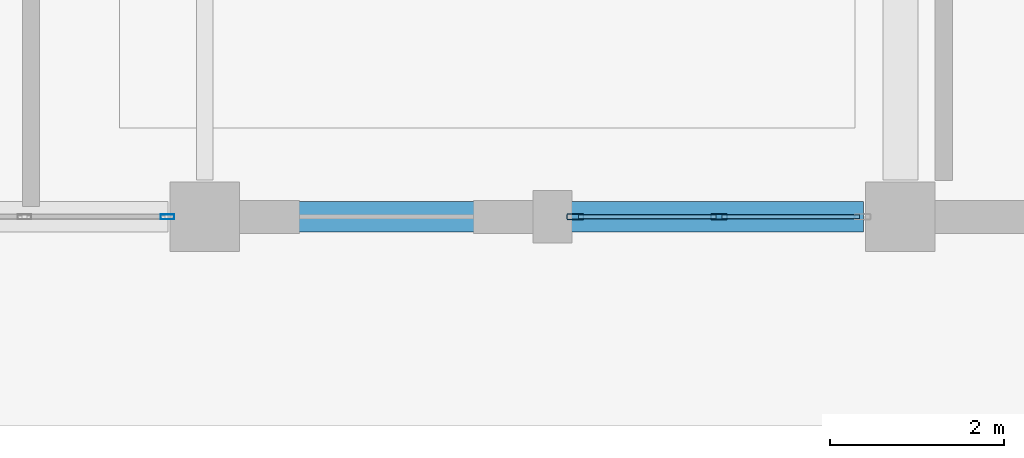
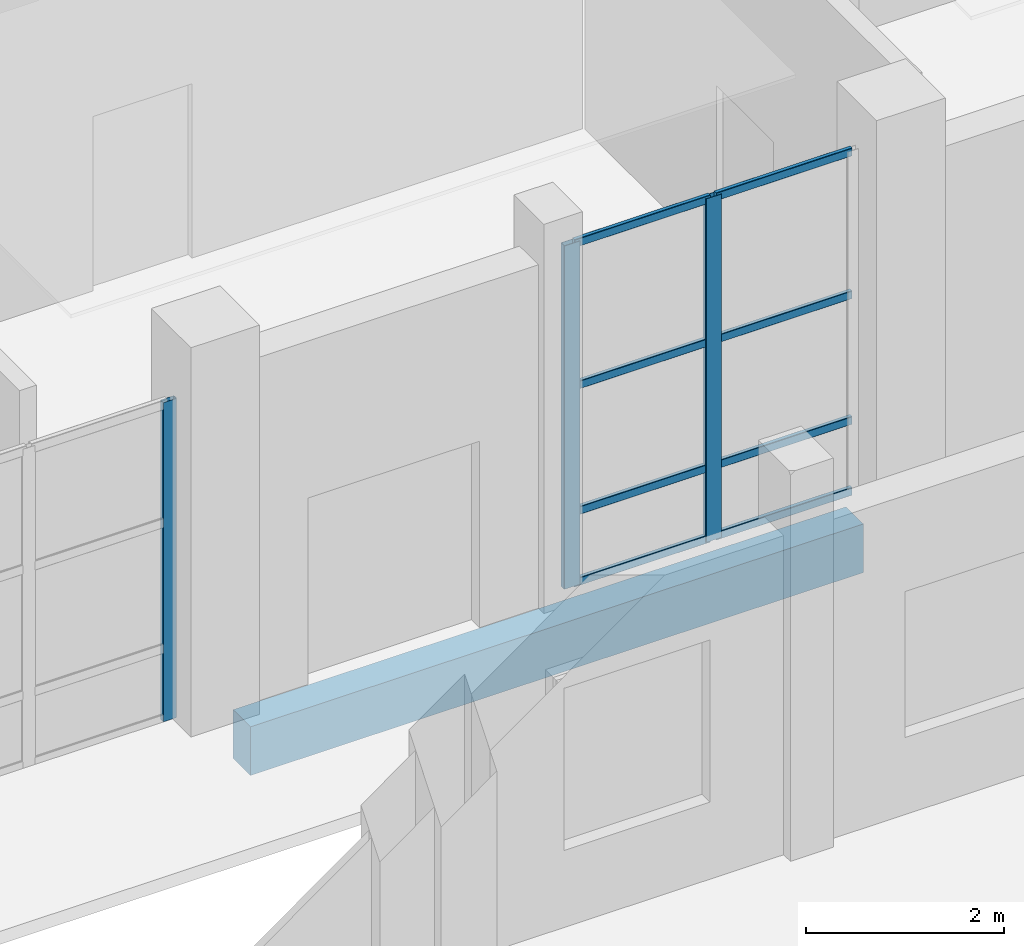
# One storey, part 92 of 156: 11 members, 1 beam, 2 elements without a shape of their own.
"""IFC4 building model written with IfcOpenShell, lengths in metres."""

from ifc_helpers import new_model, si_unit, direction, frame, origin, origin_2d, place, context, subcontext, project, spatial, rectangle, hollow_rectangle, extrude, material, material_profile, profile_set, type_object, element, aggregate, save


model = new_model("IFC4")

# Units and contexts
model_context = context("Model", 3, precision=1e-05, world=origin(), true_north=direction((0.0, 1.0)))
body_context = subcontext(model_context, "Body", "Model", "MODEL_VIEW")
ifc_project = project(units=[si_unit("LENGTHUNIT", "METRE"), si_unit("AREAUNIT", "SQUARE_METRE"), si_unit("VOLUMEUNIT", "CUBIC_METRE"), si_unit("PLANEANGLEUNIT", "RADIAN"), si_unit("MASSUNIT", "GRAM", prefix="KILO")], contexts=[model_context])

# Site, building, storey
site_placement = place(None, origin())
site = spatial("IfcSite", under=ifc_project, at=site_placement, CompositionType="ELEMENT")
building_placement = place(site_placement, origin())
building = spatial("IfcBuilding", under=site, at=building_placement, Name="Luwemba Playhouse", CompositionType="ELEMENT")
storey_placement = place(building_placement, origin())
storey = spatial("IfcBuildingStorey", under=building, at=storey_placement, Name="L00", CompositionType="ELEMENT", Elevation=0.0)

# Beam
ifc_material_1 = material(Name="Concrete C40/50", Category="concrete")
ifc_material_profile_1 = material_profile(ifc_material_1, rectangle(XDim=0.35009765625, YDim=0.60009765625, at=origin_2d()))
ifc_profile_set_1 = profile_set([ifc_material_profile_1], Name="Concrete C40/50")
beam_type = type_object("IfcBeamType", Name="BM-SP3", PredefinedType="SPANDREL", material=ifc_profile_set_1)
beam_placement = place(storey_placement, frame((148.425048828125, 95.0, -0.60009765625), z_axis=(1.0, 0.0, 0.0), x_axis=(0.0, 1.0, 0.0)))
element("IfcBeam", 1, at=beam_placement, inside=storey, type_object=beam_type, Name="L00 grid girder 0302", PredefinedType="SPANDREL", context=body_context, shape_type="SweptSolid", body=[
    extrude(rectangle(XDim=0.35009765625, YDim=0.60009765625, at=origin_2d()), origin(), (0.0, 0.0, 1.0), 7.14990234375),
])

# Curtain wall, member
ifc_material_2 = material(Name="Solar-control double glazing", Category="glass")
curtain_wall_type_1 = type_object("IfcCurtainWallType", Name="CW-CW68", PredefinedType="USERDEFINED", material=ifc_material_2)
curtain_wall_1_placement = place(storey_placement, origin())
curtain_wall_1 = element("IfcCurtainWall", 2, at=curtain_wall_1_placement, inside=storey, type_object=curtain_wall_type_1, Name="L00 V6E unitised curtain wall 091", ObjectType="UNITISED GLAZING", PredefinedType="USERDEFINED")
ifc_material_3 = material(Name="Aluminium 6063-T6", Category="aluminium")
ifc_material_profile_2 = material_profile(ifc_material_3, hollow_rectangle(XDim=0.06005859375, YDim=0.159912109375, WallThickness=0.00390625, InnerFilletRadius=0.006103515625, OuterFilletRadius=0.010009765625, at=origin_2d()))
ifc_profile_set_2 = profile_set([ifc_material_profile_2], Name="Aluminium 6063-T6")
member_type_1 = type_object("IfcMemberType", Name="CWM-M1", PredefinedType="MULLION", material=ifc_profile_set_2)
member_1_placement = place(storey_placement, frame((147.570068359375, 95.0, 0.0), z_axis=(0.0, 0.0, 1.0), x_axis=(0.0, -1.0, 0.0)))
member_1 = element("IfcMember", 3, at=member_1_placement, type_object=member_type_1, Name="CW68 mullion 1", PredefinedType="MULLION", context=body_context, shape_type="SweptSolid", body=[
    extrude(hollow_rectangle(XDim=0.06005859375, YDim=0.159912109375, WallThickness=0.00390625, InnerFilletRadius=0.006103515625, OuterFilletRadius=0.010009765625, at=origin_2d()), origin(), (0.0, 0.0, 1.0), 3.93505859375),
])
aggregate(curtain_wall_1, [member_1])

# Curtain wall, members
curtain_wall_type_2 = type_object("IfcCurtainWallType", Name="CW-CW70", PredefinedType="USERDEFINED", material=ifc_material_2)
curtain_wall_2_placement = place(storey_placement, origin())
curtain_wall_2 = element("IfcCurtainWall", 4, at=curtain_wall_2_placement, inside=storey, type_object=curtain_wall_type_2, Name="L00 V6E unitised curtain wall 090", ObjectType="UNITISED GLAZING", PredefinedType="USERDEFINED")
ifc_material_profile_3 = material_profile(ifc_material_3, hollow_rectangle(XDim=0.070068359375, YDim=0.18994140625, WallThickness=0.0048828125, InnerFilletRadius=0.007568359375, OuterFilletRadius=0.012451171875, at=origin_2d()))
ifc_profile_set_3 = profile_set([ifc_material_profile_3], Name="Aluminium 6063-T6")
member_type_2 = type_object("IfcMemberType", Name="CWM-M4", PredefinedType="MULLION", material=ifc_profile_set_3)
member_2_placement = place(storey_placement, frame((153.91259765625, 95.0, 0.0), z_axis=(0.0, 0.0, 1.0), x_axis=(0.0, -1.0, 0.0)))
member_2 = element("IfcMember", 5, at=member_2_placement, type_object=member_type_2, Name="CW70 mullion 2", PredefinedType="MULLION", context=body_context, shape_type="SweptSolid", body=[
    extrude(hollow_rectangle(XDim=0.070068359375, YDim=0.18994140625, WallThickness=0.0048828125, InnerFilletRadius=0.007568359375, OuterFilletRadius=0.012451171875, at=origin_2d()), origin(), (0.0, 0.0, 1.0), 4.235107421875),
])
member_3_placement = place(storey_placement, frame((152.260009765625, 95.0, 0.0), z_axis=(0.0, 0.0, 1.0), x_axis=(0.0, -1.0, 0.0)))
member_3 = element("IfcMember", 6, at=member_3_placement, type_object=member_type_2, Name="CW70 mullion 3", PredefinedType="MULLION", context=body_context, shape_type="SweptSolid", body=[
    extrude(hollow_rectangle(XDim=0.070068359375, YDim=0.18994140625, WallThickness=0.0048828125, InnerFilletRadius=0.007568359375, OuterFilletRadius=0.012451171875, at=origin_2d()), origin(), (0.0, 0.0, 1.0), 4.235107421875),
])
ifc_material_profile_4 = material_profile(ifc_material_3, hollow_rectangle(XDim=0.050048828125, YDim=0.10009765625, WallThickness=0.00341796875, InnerFilletRadius=0.00537109375, OuterFilletRadius=0.0087890625, at=origin_2d()))
ifc_profile_set_4 = profile_set([ifc_material_profile_4], Name="Aluminium 6063-T6")
member_type_3 = type_object("IfcMemberType", Name="CWT-T4", PredefinedType="USERDEFINED", material=ifc_profile_set_4)
member_4_placement = place(storey_placement, frame((155.530029296875, 95.0, 0.02490234375), z_axis=(-1.0, 0.0, 0.0), x_axis=(0.0, -1.0, 0.0)))
member_4 = element("IfcMember", 7, at=member_4_placement, type_object=member_type_3, Name="CW70 transom 1.1", ObjectType="TRANSOM", PredefinedType="USERDEFINED", context=body_context, shape_type="SweptSolid", body=[
    extrude(hollow_rectangle(XDim=0.050048828125, YDim=0.10009765625, WallThickness=0.00341796875, InnerFilletRadius=0.00537109375, OuterFilletRadius=0.0087890625, at=origin_2d()), origin(), (0.0, 0.0, 1.0), 1.58251953125),
])
member_5_placement = place(storey_placement, frame((155.530029296875, 95.0, 0.89990234375), z_axis=(-1.0, 0.0, 0.0), x_axis=(0.0, -1.0, 0.0)))
member_5 = element("IfcMember", 8, at=member_5_placement, type_object=member_type_3, Name="CW70 transom 1.2", ObjectType="TRANSOM", PredefinedType="USERDEFINED", context=body_context, shape_type="SweptSolid", body=[
    extrude(hollow_rectangle(XDim=0.050048828125, YDim=0.10009765625, WallThickness=0.00341796875, InnerFilletRadius=0.00537109375, OuterFilletRadius=0.0087890625, at=origin_2d()), origin(), (0.0, 0.0, 1.0), 1.58251953125),
])
member_6_placement = place(storey_placement, frame((155.530029296875, 95.0, 2.449951171875), z_axis=(-1.0, 0.0, 0.0), x_axis=(0.0, -1.0, 0.0)))
member_6 = element("IfcMember", 9, at=member_6_placement, type_object=member_type_3, Name="CW70 transom 1.3", ObjectType="TRANSOM", PredefinedType="USERDEFINED", context=body_context, shape_type="SweptSolid", body=[
    extrude(hollow_rectangle(XDim=0.050048828125, YDim=0.10009765625, WallThickness=0.00341796875, InnerFilletRadius=0.00537109375, OuterFilletRadius=0.0087890625, at=origin_2d()), origin(), (0.0, 0.0, 1.0), 1.58251953125),
])
member_7_placement = place(storey_placement, frame((155.530029296875, 95.0, 4.2099609375), z_axis=(-1.0, 0.0, 0.0), x_axis=(0.0, -1.0, 0.0)))
member_7 = element("IfcMember", 10, at=member_7_placement, type_object=member_type_3, Name="CW70 transom 1.4", ObjectType="TRANSOM", PredefinedType="USERDEFINED", context=body_context, shape_type="SweptSolid", body=[
    extrude(hollow_rectangle(XDim=0.050048828125, YDim=0.10009765625, WallThickness=0.00341796875, InnerFilletRadius=0.00537109375, OuterFilletRadius=0.0087890625, at=origin_2d()), origin(), (0.0, 0.0, 1.0), 1.58251953125),
])
member_8_placement = place(storey_placement, frame((153.87744140625, 95.0, 0.02490234375), z_axis=(-1.0, 0.0, 0.0), x_axis=(0.0, -1.0, 0.0)))
member_8 = element("IfcMember", 11, at=member_8_placement, type_object=member_type_3, Name="CW70 transom 2.1", ObjectType="TRANSOM", PredefinedType="USERDEFINED", context=body_context, shape_type="SweptSolid", body=[
    extrude(hollow_rectangle(XDim=0.050048828125, YDim=0.10009765625, WallThickness=0.00341796875, InnerFilletRadius=0.00537109375, OuterFilletRadius=0.0087890625, at=origin_2d()), origin(), (0.0, 0.0, 1.0), 1.58251953125),
])
member_9_placement = place(storey_placement, frame((153.87744140625, 95.0, 0.89990234375), z_axis=(-1.0, 0.0, 0.0), x_axis=(0.0, -1.0, 0.0)))
member_9 = element("IfcMember", 12, at=member_9_placement, type_object=member_type_3, Name="CW70 transom 2.2", ObjectType="TRANSOM", PredefinedType="USERDEFINED", context=body_context, shape_type="SweptSolid", body=[
    extrude(hollow_rectangle(XDim=0.050048828125, YDim=0.10009765625, WallThickness=0.00341796875, InnerFilletRadius=0.00537109375, OuterFilletRadius=0.0087890625, at=origin_2d()), origin(), (0.0, 0.0, 1.0), 1.58251953125),
])
member_10_placement = place(storey_placement, frame((153.87744140625, 95.0, 2.449951171875), z_axis=(-1.0, 0.0, 0.0), x_axis=(0.0, -1.0, 0.0)))
member_10 = element("IfcMember", 13, at=member_10_placement, type_object=member_type_3, Name="CW70 transom 2.3", ObjectType="TRANSOM", PredefinedType="USERDEFINED", context=body_context, shape_type="SweptSolid", body=[
    extrude(hollow_rectangle(XDim=0.050048828125, YDim=0.10009765625, WallThickness=0.00341796875, InnerFilletRadius=0.00537109375, OuterFilletRadius=0.0087890625, at=origin_2d()), origin(), (0.0, 0.0, 1.0), 1.58251953125),
])
member_11_placement = place(storey_placement, frame((153.87744140625, 95.0, 4.2099609375), z_axis=(-1.0, 0.0, 0.0), x_axis=(0.0, -1.0, 0.0)))
member_11 = element("IfcMember", 14, at=member_11_placement, type_object=member_type_3, Name="CW70 transom 2.4", ObjectType="TRANSOM", PredefinedType="USERDEFINED", context=body_context, shape_type="SweptSolid", body=[
    extrude(hollow_rectangle(XDim=0.050048828125, YDim=0.10009765625, WallThickness=0.00341796875, InnerFilletRadius=0.00537109375, OuterFilletRadius=0.0087890625, at=origin_2d()), origin(), (0.0, 0.0, 1.0), 1.58251953125),
])
aggregate(curtain_wall_2, [member_2, member_3, member_4, member_5, member_6, member_7, member_8, member_9, member_10, member_11])

save(model, "model.ifc")
